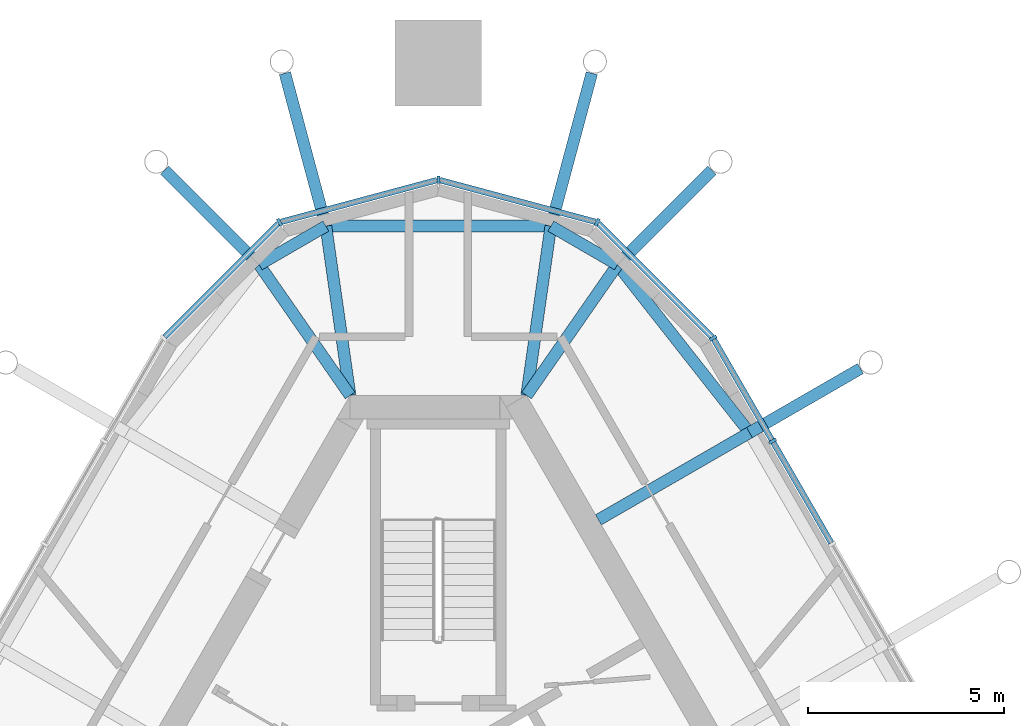
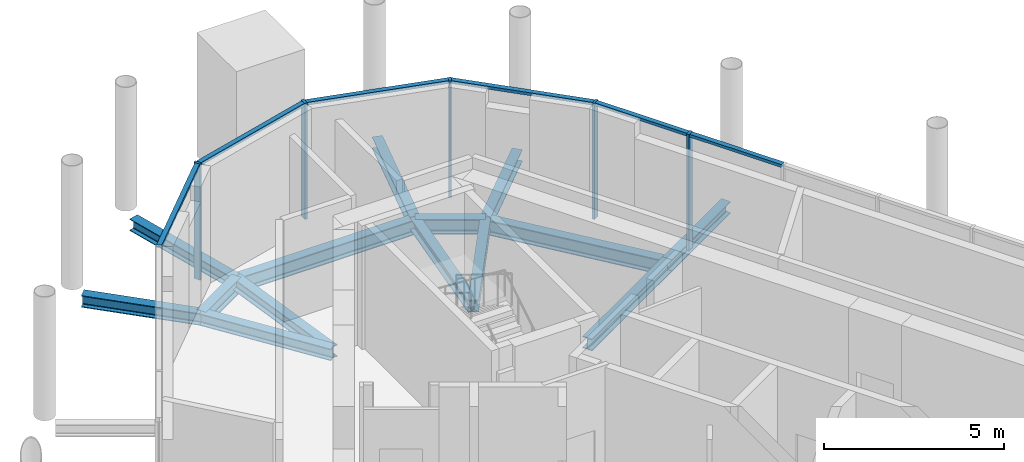
# One storey, part 5 of 11: 14 beams, 11 members, 2 elements without a shape of their own.
"""IFC4 building model written with IfcOpenShell, lengths in metres."""

from ifc_helpers import new_model, si_unit, direction, frame, origin, origin_2d, place, context, subcontext, project, spatial, rectangle, i_section, extrude, material, material_profile, profile_set, type_object, element, aggregate, save


model = new_model("IFC4")

# Units and contexts
model_context = context("Model", 3, precision=1e-05, world=origin(), true_north=direction((0.0, 1.0)))
body_context = subcontext(model_context, "Body", "Model", "MODEL_VIEW")
ifc_project = project(units=[si_unit("LENGTHUNIT", "METRE"), si_unit("AREAUNIT", "SQUARE_METRE"), si_unit("VOLUMEUNIT", "CUBIC_METRE"), si_unit("PLANEANGLEUNIT", "RADIAN"), si_unit("MASSUNIT", "GRAM", prefix="KILO")], contexts=[model_context])

# Site, building, storey
site_placement = place(None, origin())
site = spatial("IfcSite", under=ifc_project, at=site_placement, CompositionType="ELEMENT")
building_placement = place(site_placement, origin())
building = spatial("IfcBuilding", under=site, at=building_placement, Name="Mestral Congress Tower", CompositionType="ELEMENT")
storey_placement = place(building_placement, frame((0.0, 0.0, 331.800048828125)))
storey = spatial("IfcBuildingStorey", under=building, at=storey_placement, Name="L77", CompositionType="ELEMENT", Elevation=331.800048828125)

# Curtain wall, members
ifc_material_1 = material(Name="Glazed ceramic", Category="masonry")
curtain_wall_type = type_object("IfcCurtainWallType", Name="Facade plant louvre screen", PredefinedType="USERDEFINED", material=ifc_material_1)
placement = place(storey_placement, origin())
curtain_wall_1 = element("IfcCurtainWall", 1, at=placement, inside=storey, type_object=curtain_wall_type, Name="Plant louvre screen side 2", ObjectType="CURTAIN WALL", PredefinedType="USERDEFINED")
ifc_material_2 = material(Name="Anodised aluminium", Category="aluminium")
ifc_material_profile_1 = material_profile(ifc_material_2, rectangle(XDim=0.199951171875, YDim=0.080078125, at=origin_2d()), Name="CW6 mullion 200 x 80")
ifc_profile_set_1 = profile_set([ifc_material_profile_1], Name="Anodised aluminium")
member_type_1 = type_object("IfcMemberType", Name="Facade plant louvre screen mullion", PredefinedType="MULLION", material=ifc_profile_set_1)
member_1_placement = place(storey_placement, frame((8.525390625, 15.43359375, 0.0), z_axis=(0.0, 0.0, 1.0), x_axis=(0.866024531118, 0.500001511499, 0.0)))
member_1 = element("IfcMember", 2, at=member_1_placement, type_object=member_type_1, Name="Facade plant louvre screen mullion", PredefinedType="MULLION", context=body_context, shape_type="SweptSolid", body=[
    extrude(rectangle(XDim=0.199951171875, YDim=0.080078125, at=origin_2d()), origin(), (0.0, 0.0, 1.0), 3.949951171875),
])
member_2_placement = place(storey_placement, frame((7.00830078125, 18.061279296875, 0.0), z_axis=(0.0, 0.0, 1.0), x_axis=(0.866024531118, 0.500001511499, 0.0)))
member_2 = element("IfcMember", 3, at=member_2_placement, type_object=member_type_1, Name="Facade plant louvre screen mullion", PredefinedType="MULLION", context=body_context, shape_type="SweptSolid", body=[
    extrude(rectangle(XDim=0.199951171875, YDim=0.080078125, at=origin_2d()), origin(), (0.0, 0.0, 1.0), 3.949951171875),
])

curtain_wall_2 = element("IfcCurtainWall", 4, at=placement, inside=storey, type_object=curtain_wall_type, Name="Plant louvre screen corner 3", ObjectType="CURTAIN WALL", PredefinedType="USERDEFINED")
member_3_placement = place(storey_placement, frame((4.0517578125, 21.017822265625, 0.0), z_axis=(0.0, 0.0, 1.0), x_axis=(0.5, 0.866025403784, 0.0)))
member_3 = element("IfcMember", 5, at=member_3_placement, type_object=member_type_1, Name="Facade plant louvre screen mullion", PredefinedType="MULLION", context=body_context, shape_type="SweptSolid", body=[
    extrude(rectangle(XDim=0.199951171875, YDim=0.080078125, at=origin_2d()), origin(), (0.0, 0.0, 1.0), 3.949951171875),
])
member_4_placement = place(storey_placement, frame((0.0, 22.103515625, 0.0), z_axis=(0.0, 0.0, 1.0), x_axis=(0.0, 1.0, 0.0)))
member_4 = element("IfcMember", 6, at=member_4_placement, type_object=member_type_1, Name="Facade plant louvre screen mullion", PredefinedType="MULLION", context=body_context, shape_type="SweptSolid", body=[
    extrude(rectangle(XDim=0.199951171875, YDim=0.080078125, at=origin_2d()), origin(), (0.0, 0.0, 1.0), 3.949951171875),
])
member_5_placement = place(storey_placement, frame((-4.0517578125, 21.017822265625, 0.0), z_axis=(0.0, 0.0, 1.0), x_axis=(-0.5, 0.866025403784, 0.0)))
member_5 = element("IfcMember", 7, at=member_5_placement, type_object=member_type_1, Name="Facade plant louvre screen mullion", PredefinedType="MULLION", context=body_context, shape_type="SweptSolid", body=[
    extrude(rectangle(XDim=0.199951171875, YDim=0.080078125, at=origin_2d()), origin(), (0.0, 0.0, 1.0), 3.949951171875),
])

# Member
ifc_material_profile_2 = material_profile(ifc_material_2, rectangle(XDim=0.14990234375, YDim=0.10009765625, at=origin_2d()), Name="CW6 transom 150 x 100")
ifc_profile_set_2 = profile_set([ifc_material_profile_2], Name="Anodised aluminium")
member_type_2 = type_object("IfcMemberType", Name="Facade plant louvre screen transom", PredefinedType="USERDEFINED", material=ifc_profile_set_2)
member_6_placement = place(storey_placement, frame((10.022705078125, 12.84033203125, 3.89990234375), z_axis=(-0.50002288008, 0.866012193561, 0.0), x_axis=(-0.866012193561, -0.50002288008, 0.0)))
member_6 = element("IfcMember", 8, at=member_6_placement, type_object=member_type_2, Name="Facade plant louvre screen transom", ObjectType="TRANSOM", PredefinedType="USERDEFINED", context=body_context, shape_type="SweptSolid", body=[
    extrude(rectangle(XDim=0.14990234375, YDim=0.10009765625, at=origin_2d()), origin(), (0.0, 0.0, 1.0), 2.954345703125),
])

member_7_placement = place(storey_placement, frame((8.50537109375, 15.46826171875, 3.89990234375), z_axis=(-0.499960902066, 0.86604797581, 0.0), x_axis=(-0.86604797581, -0.499960902066, 0.0)))
member_7 = element("IfcMember", 9, at=member_7_placement, type_object=member_type_2, Name="Facade plant louvre screen transom", ObjectType="TRANSOM", PredefinedType="USERDEFINED", context=body_context, shape_type="SweptSolid", body=[
    extrude(rectangle(XDim=0.14990234375, YDim=0.10009765625, at=origin_2d()), origin(), (0.0, 0.0, 1.0), 2.954345703125),
])

aggregate(curtain_wall_1, [member_1, member_2, member_6, member_7])

member_8_placement = place(storey_placement, frame((6.97998046875, 18.089599609375, 3.89990234375), z_axis=(-0.707106781187, 0.707106781187, 0.0), x_axis=(-0.707106781187, -0.707106781187, 0.0)))
member_8 = element("IfcMember", 10, at=member_8_placement, type_object=member_type_2, Name="Facade plant louvre screen transom", ObjectType="TRANSOM", PredefinedType="USERDEFINED", context=body_context, shape_type="SweptSolid", body=[
    extrude(rectangle(XDim=0.14990234375, YDim=0.10009765625, at=origin_2d()), origin(), (0.0, 0.0, 1.0), 4.10107421875),
])

member_9_placement = place(storey_placement, frame((4.01318359375, 21.0283203125, 3.89990234375), z_axis=(-0.965928983476, 0.258807262034, 0.0), x_axis=(-0.258807262034, -0.965928983476, 0.0)))
member_9 = element("IfcMember", 11, at=member_9_placement, type_object=member_type_2, Name="Facade plant louvre screen transom", ObjectType="TRANSOM", PredefinedType="USERDEFINED", context=body_context, shape_type="SweptSolid", body=[
    extrude(rectangle(XDim=0.14990234375, YDim=0.10009765625, at=origin_2d()), origin(), (0.0, 0.0, 1.0), 4.11474609375),
])

member_10_placement = place(storey_placement, frame((-0.03857421875, 22.09326171875, 3.89990234375), z_axis=(-0.965928983476, -0.258807262034, 0.0), x_axis=(0.258807262034, -0.965928983476, 0.0)))
member_10 = element("IfcMember", 12, at=member_10_placement, type_object=member_type_2, Name="Facade plant louvre screen transom", ObjectType="TRANSOM", PredefinedType="USERDEFINED", context=body_context, shape_type="SweptSolid", body=[
    extrude(rectangle(XDim=0.14990234375, YDim=0.10009765625, at=origin_2d()), origin(), (0.0, 0.0, 1.0), 4.11474609375),
])

member_11_placement = place(storey_placement, frame((-4.080078125, 20.989501953125, 3.89990234375), z_axis=(-0.707106781187, -0.707106781187, 0.0), x_axis=(0.707106781187, -0.707106781187, 0.0)))
member_11 = element("IfcMember", 13, at=member_11_placement, type_object=member_type_2, Name="Facade plant louvre screen transom", ObjectType="TRANSOM", PredefinedType="USERDEFINED", context=body_context, shape_type="SweptSolid", body=[
    extrude(rectangle(XDim=0.14990234375, YDim=0.10009765625, at=origin_2d()), origin(), (0.0, 0.0, 1.0), 4.10107421875),
])

aggregate(curtain_wall_2, [member_3, member_4, member_5, member_8, member_9, member_10, member_11])

# Beams
ifc_material_3 = material(Name="Steel S355", Category="steel")
ifc_material_profile_3 = material_profile(ifc_material_3, i_section(OverallWidth=0.300048828125, OverallDepth=0.39990234375, WebThickness=0.013427734375, FlangeThickness=0.02392578125, FilletRadius=0.027099609375, at=origin_2d()), Name="HEB 400")
ifc_profile_set_3 = profile_set([ifc_material_profile_3], Name="Steel S355")
beam_type_1 = type_object("IfcBeamType", Name="Floor beam HEB 400 S355", PredefinedType="BEAM", material=ifc_profile_set_3)
beam_1_placement = place(storey_placement, frame((-2.251708984375, 16.60009765625, -0.449951171875), z_axis=(-0.570662800291, 0.821184491064, 0.0), x_axis=(-0.821184491064, -0.570662800291, 0.0)))
element("IfcBeam", 14, at=beam_1_placement, inside=storey, type_object=beam_type_1, Name="BM-L77-KR12", PredefinedType="BEAM", context=body_context, shape_type="SweptSolid", body=[
    extrude(i_section(OverallWidth=0.300048828125, OverallDepth=0.39990234375, WebThickness=0.013427734375, FlangeThickness=0.02392578125, FilletRadius=0.027099609375, at=origin_2d()), origin(), (0.0, 0.0, 1.0), 4.060791015625),
])
for number, where, z_axis, x_axis, name in (
    (15, (-2.251708984375, 16.60009765625, -0.449951171875), (-0.141523162666, 0.989934944544, 0.0), (-0.989934944544, -0.141523162666, 0.0), "BM-L77-KR13"),
    (16, (2.251708984375, 16.60009765625, -0.449951171875), (0.141523162666, 0.989934944544, 0.0), (-0.989934944544, 0.141523162666, 0.0), "BM-L77-KR14"),
):
    element("IfcBeam", number, at=place(storey_placement, frame(where, z_axis=z_axis, x_axis=x_axis)), inside=storey, type_object=beam_type_1, Name=name, PredefinedType="BEAM", context=body_context, shape_type="SweptSolid", body=[
        extrude(i_section(OverallWidth=0.300048828125, OverallDepth=0.39990234375, WebThickness=0.013427734375, FlangeThickness=0.02392578125, FilletRadius=0.027099609375, at=origin_2d()), origin(), (0.0, 0.0, 1.0), 4.364501953125),
    ])
beam_2_placement = place(storey_placement, frame((2.251708984375, 16.60009765625, -0.449951171875), z_axis=(0.570662800291, 0.821184491064, 0.0), x_axis=(-0.821184491064, 0.570662800291, 0.0)))
element("IfcBeam", 17, at=beam_2_placement, inside=storey, type_object=beam_type_1, Name="BM-L77-KR15", PredefinedType="BEAM", context=body_context, shape_type="SweptSolid", body=[
    extrude(i_section(OverallWidth=0.300048828125, OverallDepth=0.39990234375, WebThickness=0.013427734375, FlangeThickness=0.02392578125, FilletRadius=0.027099609375, at=origin_2d()), origin(), (0.0, 0.0, 1.0), 4.060791015625),
])
beam_3_placement = place(storey_placement, frame((4.083251953125, 13.427734375, -0.449951171875), z_axis=(0.866036664382, 0.499980495566, 0.0), x_axis=(-0.499980495566, 0.866036664382, 0.0)))
element("IfcBeam", 18, at=beam_3_placement, inside=storey, type_object=beam_type_1, Name="BM-L77-KR16", PredefinedType="BEAM", context=body_context, shape_type="SweptSolid", body=[
    extrude(i_section(OverallWidth=0.300048828125, OverallDepth=0.39990234375, WebThickness=0.013427734375, FlangeThickness=0.02392578125, FilletRadius=0.027099609375, at=origin_2d()), origin(), (0.0, 0.0, 1.0), 4.449951171875),
])
beam_4_placement = place(storey_placement, frame((-6.979736328125, 22.34521484375, -0.449951171875), z_axis=(0.707142588594, -0.707070971966, 0.0), x_axis=(0.707070971966, 0.707142588594, 0.0)))
element("IfcBeam", 19, at=beam_4_placement, inside=storey, type_object=beam_type_1, Name="BM-L77-KT-C5-W00", PredefinedType="BEAM", context=body_context, shape_type="SweptSolid", body=[
    extrude(i_section(OverallWidth=0.300048828125, OverallDepth=0.39990234375, WebThickness=0.013427734375, FlangeThickness=0.02392578125, FilletRadius=0.027099609375, at=origin_2d()), origin(), (0.0, 0.0, 1.0), 3.408935546875),
])
for number, where, z_axis, x_axis, name in (
    (20, (-3.91455078125, 24.821533203125, -0.449951171875), (0.258802563966, -0.965930242246, 0.0), (0.965930242246, 0.258802563966, 0.0), "BM-L77-KT-C5-N3"),
    (21, (3.91455078125, 24.821533203125, -0.449951171875), (-0.258802563966, -0.965930242246, 0.0), (0.965930242246, -0.258802563966, 0.0), "BM-L77-KT-C5-N1"),
):
    element("IfcBeam", number, at=place(storey_placement, frame(where, z_axis=z_axis, x_axis=x_axis)), inside=storey, type_object=beam_type_1, Name=name, PredefinedType="BEAM", context=body_context, shape_type="SweptSolid", body=[
        extrude(i_section(OverallWidth=0.300048828125, OverallDepth=0.39990234375, WebThickness=0.013427734375, FlangeThickness=0.02392578125, FilletRadius=0.027099609375, at=origin_2d()), origin(), (0.0, 0.0, 1.0), 4.03857421875),
    ])
beam_5_placement = place(storey_placement, frame((6.979736328125, 22.34521484375, -0.449951171875), z_axis=(-0.707142588594, -0.707070971966, 0.0), x_axis=(0.707070971966, -0.707142588594, 0.0)))
element("IfcBeam", 22, at=beam_5_placement, inside=storey, type_object=beam_type_1, Name="BM-L77-KT-C5-E05", PredefinedType="BEAM", context=body_context, shape_type="SweptSolid", body=[
    extrude(i_section(OverallWidth=0.300048828125, OverallDepth=0.39990234375, WebThickness=0.013427734375, FlangeThickness=0.02392578125, FilletRadius=0.027099609375, at=origin_2d()), origin(), (0.0, 0.0, 1.0), 3.408935546875),
])
beam_6_placement = place(storey_placement, frame((10.767822265625, 17.287109375, -0.449951171875), z_axis=(-0.866005234444, -0.500034932695, 0.0), x_axis=(0.500034932695, -0.866005234444, 0.0)))
element("IfcBeam", 23, at=beam_6_placement, inside=storey, type_object=beam_type_1, Name="BM-L77-KT-C5-E04", PredefinedType="BEAM", context=body_context, shape_type="SweptSolid", body=[
    extrude(i_section(OverallWidth=0.300048828125, OverallDepth=0.39990234375, WebThickness=0.013427734375, FlangeThickness=0.02392578125, FilletRadius=0.027099609375, at=origin_2d()), origin(), (0.0, 0.0, 1.0), 3.268798828125),
])
ifc_material_profile_4 = material_profile(ifc_material_3, i_section(OverallWidth=0.300048828125, OverallDepth=0.5, WebThickness=0.014404296875, FlangeThickness=0.028076171875, FilletRadius=0.027099609375, at=origin_2d()), Name="HEB 500")
ifc_profile_set_4 = profile_set([ifc_material_profile_4], Name="Steel S355")
beam_type_2 = type_object("IfcBeamType", Name="Floor beam HEB 500 S355", PredefinedType="BEAM", material=ifc_profile_set_4)
beam_7_placement = place(storey_placement, frame((-4.569091796875, 19.934814453125, -0.5), z_axis=(0.865029032264, 0.501721808716, 0.0), x_axis=(-0.501721808716, 0.865029032264, 0.0)))
element("IfcBeam", 24, at=beam_7_placement, inside=storey, type_object=beam_type_2, Name="BM-L77-KG12", PredefinedType="BEAM", context=body_context, shape_type="SweptSolid", body=[
    extrude(i_section(OverallWidth=0.300048828125, OverallDepth=0.5, WebThickness=0.014404296875, FlangeThickness=0.028076171875, FilletRadius=0.027099609375, at=origin_2d()), origin(), (0.0, 0.0, 1.0), 1.96484375),
])
beam_8_placement = place(storey_placement, frame((-2.869384765625, 20.920654296875, -0.5), z_axis=(1.0, 0.0, 0.0), x_axis=(0.0, 1.0, 0.0)))
element("IfcBeam", 25, at=beam_8_placement, inside=storey, type_object=beam_type_2, Name="BM-L77-KG13", PredefinedType="BEAM", context=body_context, shape_type="SweptSolid", body=[
    extrude(i_section(OverallWidth=0.300048828125, OverallDepth=0.5, WebThickness=0.014404296875, FlangeThickness=0.028076171875, FilletRadius=0.027099609375, at=origin_2d()), origin(), (0.0, 0.0, 1.0), 5.73876953125),
])
beam_9_placement = place(storey_placement, frame((2.869384765625, 20.920654296875, -0.5), z_axis=(0.865029032264, -0.501721808716, 0.0), x_axis=(0.501721808716, 0.865029032264, 0.0)))
element("IfcBeam", 26, at=beam_9_placement, inside=storey, type_object=beam_type_2, Name="BM-L77-KG14", PredefinedType="BEAM", context=body_context, shape_type="SweptSolid", body=[
    extrude(i_section(OverallWidth=0.300048828125, OverallDepth=0.5, WebThickness=0.014404296875, FlangeThickness=0.028076171875, FilletRadius=0.027099609375, at=origin_2d()), origin(), (0.0, 0.0, 1.0), 1.96484375),
])
beam_10_placement = place(storey_placement, frame((4.569091796875, 19.934814453125, -0.5), z_axis=(0.618197515987, -0.786022793071, 0.0), x_axis=(0.786022793071, 0.618197515987, 0.0)))
element("IfcBeam", 27, at=beam_10_placement, inside=storey, type_object=beam_type_2, Name="BM-L77-KG15", PredefinedType="BEAM", context=body_context, shape_type="SweptSolid", body=[
    extrude(i_section(OverallWidth=0.300048828125, OverallDepth=0.5, WebThickness=0.014404296875, FlangeThickness=0.028076171875, FilletRadius=0.027099609375, at=origin_2d()), origin(), (0.0, 0.0, 1.0), 5.447998046875),
])

save(model, "model.ifc")
